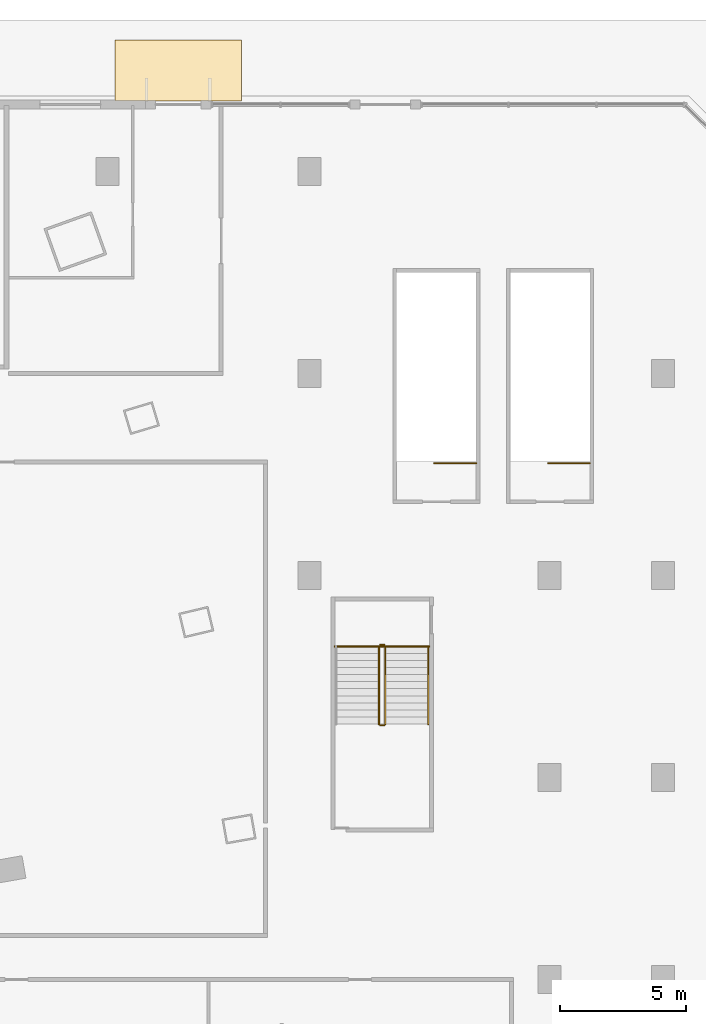
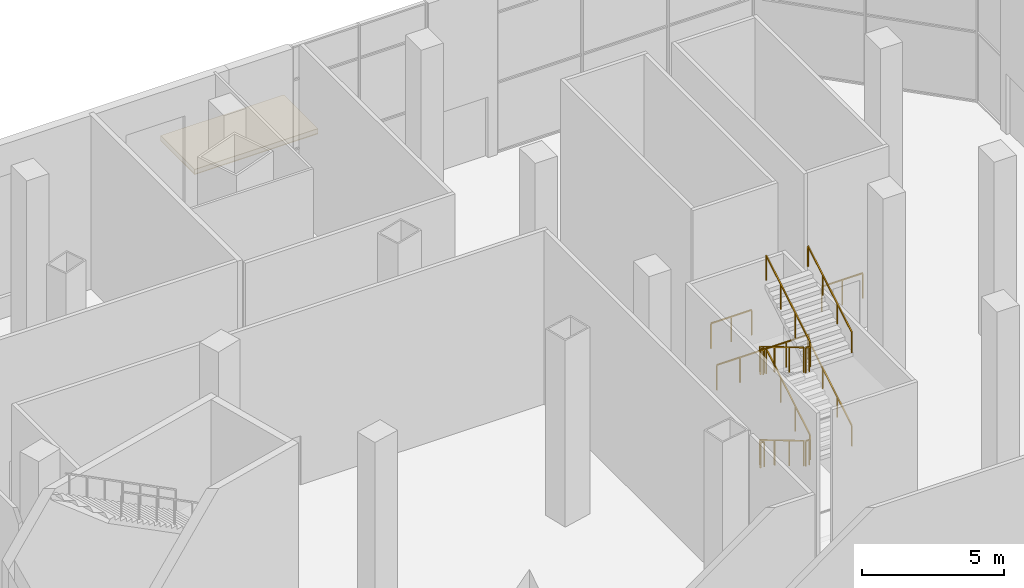
# One storey, part 32 of 33: 13 railings, 2 coverings.
"""IFC4 building model written with IfcOpenShell, lengths in metres."""

from ifc_helpers import new_model, si_unit, direction, frame, origin, origin_with_axes, origin_2d, place, context, subcontext, project, spatial, polyline, rectangle, outline, extrude, material, layer, layer_set, type_object, element, save


model = new_model("IFC4")

# Units and contexts
model_context = context("Model", 3, precision=1e-05, world=origin(), true_north=direction((0.0, 1.0)))
body_context = subcontext(model_context, "Body", "Model", "MODEL_VIEW")
ifc_project = project(units=[si_unit("LENGTHUNIT", "METRE"), si_unit("AREAUNIT", "SQUARE_METRE"), si_unit("VOLUMEUNIT", "CUBIC_METRE"), si_unit("PLANEANGLEUNIT", "RADIAN"), si_unit("MASSUNIT", "GRAM", prefix="KILO")], contexts=[model_context])

# Site, building, storey
site_placement = place(None, origin())
site = spatial("IfcSite", under=ifc_project, at=site_placement, CompositionType="ELEMENT")
building_placement = place(site_placement, origin())
building = spatial("IfcBuilding", under=site, at=building_placement, Name="Alderwake Tower", CompositionType="ELEMENT")
storey_placement = place(building_placement, origin())
storey = spatial("IfcBuildingStorey", under=building, at=storey_placement, Name="L00", CompositionType="ELEMENT", Elevation=0.0)

# Coverings
ifc_material_1 = material(Name="Bronze anodised aluminium soffit panel", Category="aluminium")
ifc_layer_1 = layer(ifc_material_1, 0.030029296875)
ifc_layer_set_1 = layer_set([ifc_layer_1], Name="Canopy soffit panel 30")
covering_type_1 = type_object("IfcCoveringType", Name="Canopy soffit panel 30", PredefinedType="CLADDING", material=ifc_layer_set_1)
covering_1_placement = place(storey_placement, frame((0.0, 0.0, 3.169921875)))
element("IfcCovering", 1, at=covering_1_placement, inside=storey, type_object=covering_type_1, Name="Canopy soffit cladding", PredefinedType="CLADDING", context=body_context, shape_type="SweptSolid", body=[
    extrude(outline(polyline([(61.300048828125, 117.199951171875), (56.300048828125, 117.199951171875), (56.300048828125, 114.800048828125), (61.300048828125, 114.800048828125), (61.300048828125, 117.199951171875)])), origin(), (0.0, 0.0, 1.0), 0.030029296875),
])
ifc_material_2 = material(Name="Bronze anodised aluminium standing-seam roofing", Category="aluminium")
ifc_layer_2 = layer(ifc_material_2, 0.199951171875)
ifc_layer_set_2 = layer_set([ifc_layer_2], Name="Entrance canopy roofing 200")
covering_type_2 = type_object("IfcCoveringType", Name="Entrance canopy roofing 200", PredefinedType="ROOFING", material=ifc_layer_set_2)
covering_2_placement = place(storey_placement, frame((0.0, 0.0, 3.199951171875)))
element("IfcCovering", 2, at=covering_2_placement, inside=storey, type_object=covering_type_2, Name="Entrance canopy", PredefinedType="ROOFING", context=body_context, shape_type="SweptSolid", body=[
    extrude(outline(polyline([(61.300048828125, 117.199951171875), (56.300048828125, 117.199951171875), (56.300048828125, 114.800048828125), (61.300048828125, 114.800048828125), (61.300048828125, 117.199951171875)])), origin(), (0.0, 0.0, 1.0), 0.199951171875),
])

# Railings
ifc_material_3 = material(Name="Stainless steel guard", Category="steel")
railing_type_1 = type_object("IfcRailingType", Name="Stair guard 1100", PredefinedType="GUARDRAIL", material=ifc_material_3)
for number, where, name in (
    (3, (70.60009765625, 100.449951171875, 0.0), "L00 ST-S3 top well guard 1"),
    (4, (75.10009765625, 100.449951171875, 0.0), "L00 ST-S4 top well guard 1"),
):
    element("IfcRailing", number, at=place(storey_placement, frame(where)), inside=storey, type_object=railing_type_1, Name=name, PredefinedType="GUARDRAIL", context=body_context, shape_type="SweptSolid", body=[
        extrude(rectangle(XDim=0.048095703125, YDim=0.048095703125, at=origin_2d()), frame((0.0, 0.0, 1.076171875), z_axis=(-1.0, 0.0, 0.0), x_axis=(0.0, -1.0, 0.0)), (0.0, 0.0, 1.0), 1.650146484375),
        extrude(rectangle(XDim=0.0419921875, YDim=0.0419921875, at=origin_2d()), frame((0.0, 0.0, 0.0), z_axis=(0.0, 0.0, 1.0), x_axis=(-1.0, 0.0, 0.0)), (0.0, 0.0, 1.0), 1.052001953125),
        extrude(rectangle(XDim=0.0419921875, YDim=0.0419921875, at=origin_2d()), frame((-0.8251953125, 0.0, 0.0), z_axis=(0.0, 0.0, 1.0), x_axis=(-1.0, 0.0, 0.0)), (0.0, 0.0, 1.0), 1.052001953125),
        extrude(rectangle(XDim=0.0419921875, YDim=0.0419921875, at=origin_2d()), frame((-1.650146484375, 0.0, 0.0), z_axis=(0.0, 0.0, 1.0), x_axis=(-1.0, 0.0, 0.0)), (0.0, 0.0, 1.0), 1.052001953125),
    ])
railing_1_placement = place(storey_placement, frame((66.75, 93.199951171875, 0.166748046875)))
element("IfcRailing", 5, at=railing_1_placement, inside=storey, type_object=railing_type_1, Name="L00 ST-P3 stair guard 1", PredefinedType="GUARDRAIL", context=body_context, shape_type="SweptSolid", body=[
    extrude(rectangle(XDim=0.048095703125, YDim=0.048095703125, at=origin_2d()), frame((0.0, 0.0, 1.076171875), z_axis=(0.0, -0.859290745958, 0.51148745235), x_axis=(1.0, 0.0, 0.0)), (0.0, 0.0, 1.0), 3.584228515625),
    extrude(rectangle(XDim=0.0419921875, YDim=0.0419921875, at=origin_2d()), frame((0.0, 0.0, 0.0), z_axis=(0.0, 0.0, 1.0), x_axis=(0.0, -1.0, 0.0)), (0.0, 0.0, 1.0), 1.052001953125),
    extrude(rectangle(XDim=0.0419921875, YDim=0.0419921875, at=origin_2d()), frame((0.0, -1.026611328125, 0.611083984375), z_axis=(0.0, 0.0, 1.0), x_axis=(0.0, -1.0, 0.0)), (0.0, 0.0, 1.0), 1.052001953125),
    extrude(rectangle(XDim=0.0419921875, YDim=0.0419921875, at=origin_2d()), frame((0.0, -2.05322265625, 1.22216796875), z_axis=(0.0, 0.0, 1.0), x_axis=(0.0, -1.0, 0.0)), (0.0, 0.0, 1.0), 1.052001953125),
    extrude(rectangle(XDim=0.0419921875, YDim=0.0419921875, at=origin_2d()), frame((0.0, -3.079833984375, 1.833251953125), z_axis=(0.0, 0.0, 1.0), x_axis=(0.0, -1.0, 0.0)), (0.0, 0.0, 1.0), 1.052001953125),
])
railing_2_placement = place(storey_placement, frame((66.800048828125, 90.070068359375, 2.0)))
element("IfcRailing", 6, at=railing_2_placement, inside=storey, type_object=railing_type_1, Name="L00 ST-P3 stair guard 2", PredefinedType="GUARDRAIL", context=body_context, shape_type="SweptSolid", body=[
    extrude(rectangle(XDim=0.048095703125, YDim=0.048095703125, at=origin_2d()), frame((0.0, 0.0, 1.076171875), z_axis=(1.0, 0.0, 0.0), x_axis=(0.0, 1.0, 0.0)), (0.0, 0.0, 1.0), 0.14990234375),
    extrude(rectangle(XDim=0.0419921875, YDim=0.0419921875, at=origin_2d()), origin_with_axes(), (0.0, 0.0, 1.0), 1.052001953125),
    extrude(rectangle(XDim=0.0419921875, YDim=0.0419921875, at=origin_2d()), frame((0.14990234375, 0.0, 0.0), z_axis=(0.0, 0.0, 1.0), x_axis=(1.0, 0.0, 0.0)), (0.0, 0.0, 1.0), 1.052001953125),
])
railing_3_placement = place(storey_placement, frame((67.0, 90.1201171875, 2.166748046875)))
element("IfcRailing", 7, at=railing_3_placement, inside=storey, type_object=railing_type_1, Name="L00 ST-P3 stair guard 3", PredefinedType="GUARDRAIL", context=body_context, shape_type="SweptSolid", body=[
    extrude(rectangle(XDim=0.048095703125, YDim=0.048095703125, at=origin_2d()), frame((0.0, 0.0, 1.076171875), z_axis=(0.0, 0.859290745958, 0.51148745235), x_axis=(-1.0, 0.0, 0.0)), (0.0, 0.0, 1.0), 3.584228515625),
    extrude(rectangle(XDim=0.0419921875, YDim=0.0419921875, at=origin_2d()), frame((0.0, 0.0, 0.0), z_axis=(0.0, 0.0, 1.0), x_axis=(0.0, 1.0, 0.0)), (0.0, 0.0, 1.0), 1.052001953125),
    extrude(rectangle(XDim=0.0419921875, YDim=0.0419921875, at=origin_2d()), frame((0.0, 1.026611328125, 0.611083984375), z_axis=(0.0, 0.0, 1.0), x_axis=(0.0, 1.0, 0.0)), (0.0, 0.0, 1.0), 1.052001953125),
    extrude(rectangle(XDim=0.0419921875, YDim=0.0419921875, at=origin_2d()), frame((0.0, 2.05322265625, 1.22216796875), z_axis=(0.0, 0.0, 1.0), x_axis=(0.0, 1.0, 0.0)), (0.0, 0.0, 1.0), 1.052001953125),
    extrude(rectangle(XDim=0.0419921875, YDim=0.0419921875, at=origin_2d()), frame((0.0, 3.079833984375, 1.833251953125), z_axis=(0.0, 0.0, 1.0), x_axis=(0.0, 1.0, 0.0)), (0.0, 0.0, 1.0), 1.052001953125),
])
railing_4_placement = place(storey_placement, frame((66.800048828125, 93.25, 4.0)))
element("IfcRailing", 8, at=railing_4_placement, inside=storey, type_object=railing_type_1, Name="L00 ST-P3 stair guard 4", PredefinedType="GUARDRAIL", context=body_context, shape_type="SweptSolid", body=[
    extrude(rectangle(XDim=0.048095703125, YDim=0.048095703125, at=origin_2d()), frame((0.0, 0.0, 1.076171875), z_axis=(1.0, 0.0, 0.0), x_axis=(0.0, 1.0, 0.0)), (0.0, 0.0, 1.0), 0.14990234375),
    extrude(rectangle(XDim=0.0419921875, YDim=0.0419921875, at=origin_2d()), origin_with_axes(), (0.0, 0.0, 1.0), 1.052001953125),
    extrude(rectangle(XDim=0.0419921875, YDim=0.0419921875, at=origin_2d()), frame((0.14990234375, 0.0, 0.0), z_axis=(0.0, 0.0, 1.0), x_axis=(1.0, 0.0, 0.0)), (0.0, 0.0, 1.0), 1.052001953125),
])
railing_5_placement = place(storey_placement, frame((66.75, 93.199951171875, 4.166748046875)))
element("IfcRailing", 9, at=railing_5_placement, inside=storey, type_object=railing_type_1, Name="L00 ST-P3 stair guard 5", PredefinedType="GUARDRAIL", context=body_context, shape_type="SweptSolid", body=[
    extrude(rectangle(XDim=0.048095703125, YDim=0.048095703125, at=origin_2d()), frame((0.0, 0.0, 1.076171875), z_axis=(0.0, -0.859290745958, 0.51148745235), x_axis=(1.0, 0.0, 0.0)), (0.0, 0.0, 1.0), 3.584228515625),
    extrude(rectangle(XDim=0.0419921875, YDim=0.0419921875, at=origin_2d()), frame((0.0, 0.0, 0.0), z_axis=(0.0, 0.0, 1.0), x_axis=(0.0, -1.0, 0.0)), (0.0, 0.0, 1.0), 1.052001953125),
    extrude(rectangle(XDim=0.0419921875, YDim=0.0419921875, at=origin_2d()), frame((0.0, -1.026611328125, 0.611083984375), z_axis=(0.0, 0.0, 1.0), x_axis=(0.0, -1.0, 0.0)), (0.0, 0.0, 1.0), 1.052001953125),
    extrude(rectangle(XDim=0.0419921875, YDim=0.0419921875, at=origin_2d()), frame((0.0, -2.05322265625, 1.22216796875), z_axis=(0.0, 0.0, 1.0), x_axis=(0.0, -1.0, 0.0)), (0.0, 0.0, 1.0), 1.052001953125),
    extrude(rectangle(XDim=0.0419921875, YDim=0.0419921875, at=origin_2d()), frame((0.0, -3.079833984375, 1.833251953125), z_axis=(0.0, 0.0, 1.0), x_axis=(0.0, -1.0, 0.0)), (0.0, 0.0, 1.0), 1.052001953125),
])
railing_6_placement = place(storey_placement, frame((66.800048828125, 90.070068359375, 6.0)))
element("IfcRailing", 10, at=railing_6_placement, inside=storey, type_object=railing_type_1, Name="L00 ST-P3 stair guard 6", PredefinedType="GUARDRAIL", context=body_context, shape_type="SweptSolid", body=[
    extrude(rectangle(XDim=0.048095703125, YDim=0.048095703125, at=origin_2d()), frame((0.0, 0.0, 1.076171875), z_axis=(1.0, 0.0, 0.0), x_axis=(0.0, 1.0, 0.0)), (0.0, 0.0, 1.0), 0.14990234375),
    extrude(rectangle(XDim=0.0419921875, YDim=0.0419921875, at=origin_2d()), origin_with_axes(), (0.0, 0.0, 1.0), 1.052001953125),
    extrude(rectangle(XDim=0.0419921875, YDim=0.0419921875, at=origin_2d()), frame((0.14990234375, 0.0, 0.0), z_axis=(0.0, 0.0, 1.0), x_axis=(1.0, 0.0, 0.0)), (0.0, 0.0, 1.0), 1.052001953125),
])
railing_7_placement = place(storey_placement, frame((67.0, 90.1201171875, 6.166748046875)))
element("IfcRailing", 11, at=railing_7_placement, inside=storey, type_object=railing_type_1, Name="L00 ST-P3 stair guard 7", PredefinedType="GUARDRAIL", context=body_context, shape_type="SweptSolid", body=[
    extrude(rectangle(XDim=0.048095703125, YDim=0.048095703125, at=origin_2d()), frame((0.0, 0.0, 1.076171875), z_axis=(0.0, 0.859290745958, 0.51148745235), x_axis=(-1.0, 0.0, 0.0)), (0.0, 0.0, 1.0), 3.584228515625),
    extrude(rectangle(XDim=0.0419921875, YDim=0.0419921875, at=origin_2d()), frame((0.0, 0.0, 0.0), z_axis=(0.0, 0.0, 1.0), x_axis=(0.0, 1.0, 0.0)), (0.0, 0.0, 1.0), 1.052001953125),
    extrude(rectangle(XDim=0.0419921875, YDim=0.0419921875, at=origin_2d()), frame((0.0, 1.026611328125, 0.611083984375), z_axis=(0.0, 0.0, 1.0), x_axis=(0.0, 1.0, 0.0)), (0.0, 0.0, 1.0), 1.052001953125),
    extrude(rectangle(XDim=0.0419921875, YDim=0.0419921875, at=origin_2d()), frame((0.0, 2.05322265625, 1.22216796875), z_axis=(0.0, 0.0, 1.0), x_axis=(0.0, 1.0, 0.0)), (0.0, 0.0, 1.0), 1.052001953125),
    extrude(rectangle(XDim=0.0419921875, YDim=0.0419921875, at=origin_2d()), frame((0.0, 3.079833984375, 1.833251953125), z_axis=(0.0, 0.0, 1.0), x_axis=(0.0, 1.0, 0.0)), (0.0, 0.0, 1.0), 1.052001953125),
])
railing_8_placement = place(storey_placement, frame((66.800048828125, 93.25, 0.0)))
element("IfcRailing", 12, at=railing_8_placement, inside=storey, type_object=railing_type_1, Name="L00 ST-P3 stair guard 8", PredefinedType="GUARDRAIL", context=body_context, shape_type="SweptSolid", body=[
    extrude(rectangle(XDim=0.048095703125, YDim=0.048095703125, at=origin_2d()), frame((0.0, 0.0, 1.076171875), z_axis=(1.0, 0.0, 0.0), x_axis=(0.0, 1.0, 0.0)), (0.0, 0.0, 1.0), 0.14990234375),
    extrude(rectangle(XDim=0.0419921875, YDim=0.0419921875, at=origin_2d()), origin_with_axes(), (0.0, 0.0, 1.0), 1.052001953125),
    extrude(rectangle(XDim=0.0419921875, YDim=0.0419921875, at=origin_2d()), frame((0.14990234375, 0.0, 0.0), z_axis=(0.0, 0.0, 1.0), x_axis=(1.0, 0.0, 0.0)), (0.0, 0.0, 1.0), 1.052001953125),
])
railing_9_placement = place(storey_placement, frame((65.0, 93.18994140625, 4.0)))
element("IfcRailing", 13, at=railing_9_placement, inside=storey, type_object=railing_type_1, Name="L00 landing guard ST-P3.L2", PredefinedType="GUARDRAIL", context=body_context, shape_type="SweptSolid", body=[
    extrude(rectangle(XDim=0.048095703125, YDim=0.048095703125, at=origin_2d()), frame((0.0, 0.0, 1.076171875), z_axis=(1.0, 0.0, 0.0), x_axis=(0.0, 1.0, 0.0)), (0.0, 0.0, 1.0), 3.75),
    extrude(rectangle(XDim=0.0419921875, YDim=0.0419921875, at=origin_2d()), origin_with_axes(), (0.0, 0.0, 1.0), 1.052001953125),
    extrude(rectangle(XDim=0.0419921875, YDim=0.0419921875, at=origin_2d()), frame((0.9375, 0.0, 0.0), z_axis=(0.0, 0.0, 1.0), x_axis=(1.0, 0.0, 0.0)), (0.0, 0.0, 1.0), 1.052001953125),
    extrude(rectangle(XDim=0.0419921875, YDim=0.0419921875, at=origin_2d()), frame((1.875, 0.0, 0.0), z_axis=(0.0, 0.0, 1.0), x_axis=(1.0, 0.0, 0.0)), (0.0, 0.0, 1.0), 1.052001953125),
    extrude(rectangle(XDim=0.0419921875, YDim=0.0419921875, at=origin_2d()), frame((2.8125, 0.0, 0.0), z_axis=(0.0, 0.0, 1.0), x_axis=(1.0, 0.0, 0.0)), (0.0, 0.0, 1.0), 1.052001953125),
    extrude(rectangle(XDim=0.0419921875, YDim=0.0419921875, at=origin_2d()), frame((3.75, 0.0, 0.0), z_axis=(0.0, 0.0, 1.0), x_axis=(1.0, 0.0, 0.0)), (0.0, 0.0, 1.0), 1.052001953125),
])
ifc_material_4 = material(Name="Stainless steel handrail", Category="steel")
railing_type_2 = type_object("IfcRailingType", Name="Stair handrail 900", PredefinedType="HANDRAIL", material=ifc_material_4)
for number, where, name in (
    (14, (68.699951171875, 90.1201171875, 2.166748046875), "L00 ST-P3 stair handrail 2"),
    (15, (68.699951171875, 90.1201171875, 6.166748046875), "L00 ST-P3 stair handrail 4"),
):
    element("IfcRailing", number, at=place(storey_placement, frame(where)), inside=storey, type_object=railing_type_2, Name=name, PredefinedType="HANDRAIL", context=body_context, shape_type="SweptSolid", body=[
        extrude(rectangle(XDim=0.048095703125, YDim=0.048095703125, at=origin_2d()), frame((0.0, 0.0, 0.8759765625), z_axis=(0.0, 0.859290745958, 0.51148745235), x_axis=(-1.0, 0.0, 0.0)), (0.0, 0.0, 1.0), 3.584228515625),
        extrude(rectangle(XDim=0.0419921875, YDim=0.0419921875, at=origin_2d()), frame((0.0, 0.0, 0.0), z_axis=(0.0, 0.0, 1.0), x_axis=(0.0, 1.0, 0.0)), (0.0, 0.0, 1.0), 0.851806640625),
        extrude(rectangle(XDim=0.0419921875, YDim=0.0419921875, at=origin_2d()), frame((0.0, 1.026611328125, 0.611083984375), z_axis=(0.0, 0.0, 1.0), x_axis=(0.0, 1.0, 0.0)), (0.0, 0.0, 1.0), 0.851806640625),
        extrude(rectangle(XDim=0.0419921875, YDim=0.0419921875, at=origin_2d()), frame((0.0, 2.05322265625, 1.22216796875), z_axis=(0.0, 0.0, 1.0), x_axis=(0.0, 1.0, 0.0)), (0.0, 0.0, 1.0), 0.851806640625),
        extrude(rectangle(XDim=0.0419921875, YDim=0.0419921875, at=origin_2d()), frame((0.0, 3.079833984375, 1.833251953125), z_axis=(0.0, 0.0, 1.0), x_axis=(0.0, 1.0, 0.0)), (0.0, 0.0, 1.0), 0.851806640625),
    ])

save(model, "model.ifc")
